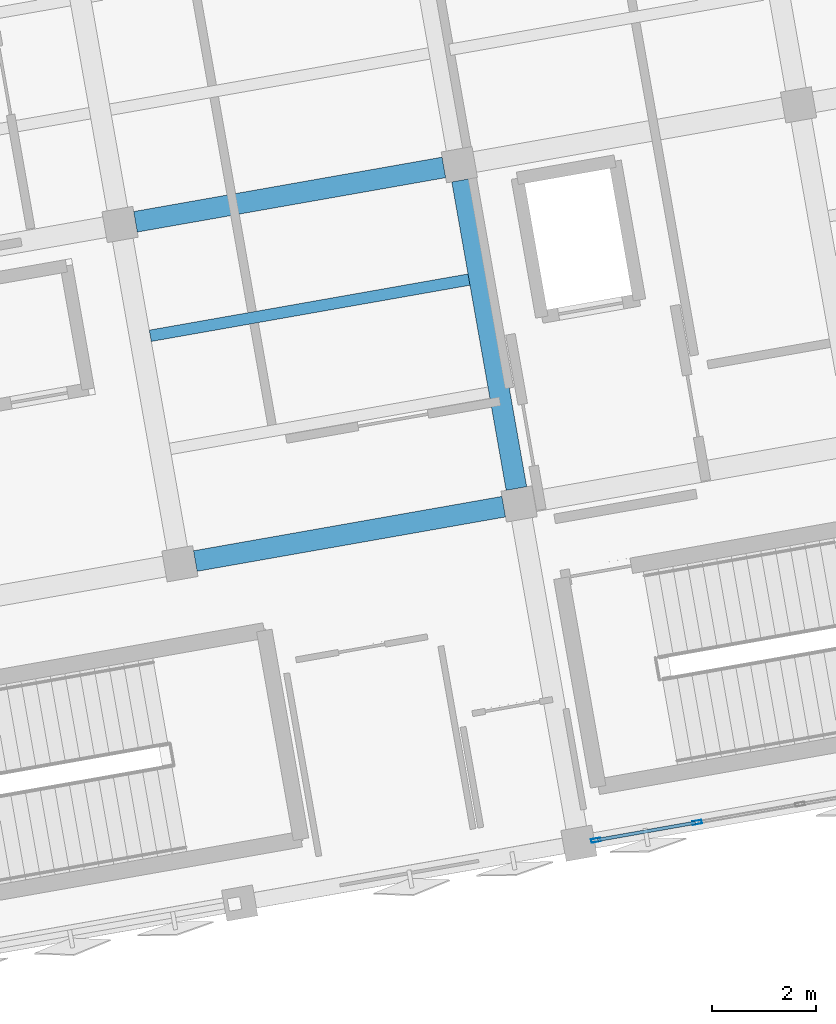
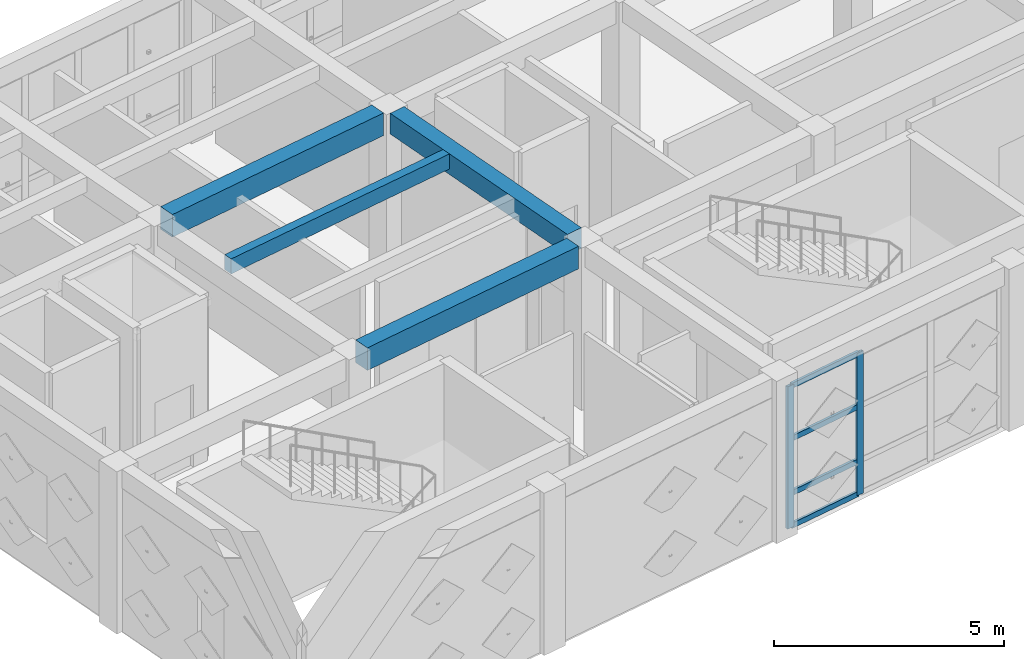
# One storey, part 3 of 29: 6 members, 4 beams, 1 element without a shape of its own.
"""IFC4 building model written with IfcOpenShell, lengths in metres."""

from ifc_helpers import new_model, si_unit, direction, frame, origin, origin_2d, place, context, subcontext, project, spatial, rectangle, hollow_rectangle, extrude, material, layer, layer_set, material_profile, profile_set, type_object, element, aggregate, save


model = new_model("IFC4")

# Units and contexts
model_context = context("Model", 3, precision=1e-05, world=origin(), true_north=direction((0.0, 1.0)))
body_context = subcontext(model_context, "Body", "Model", "MODEL_VIEW")
ifc_project = project(units=[si_unit("LENGTHUNIT", "METRE"), si_unit("AREAUNIT", "SQUARE_METRE"), si_unit("VOLUMEUNIT", "CUBIC_METRE"), si_unit("PLANEANGLEUNIT", "RADIAN"), si_unit("MASSUNIT", "GRAM", prefix="KILO")], contexts=[model_context])

# Site, building, storey
site_placement = place(None, origin())
site = spatial("IfcSite", under=ifc_project, at=site_placement, CompositionType="ELEMENT")
building_placement = place(site_placement, origin())
building = spatial("IfcBuilding", under=site, at=building_placement, Name="Kharisveld Research Institute", CompositionType="ELEMENT")
storey_placement = place(building_placement, frame((0.0, 0.0, 32.10009765625)))
storey = spatial("IfcBuildingStorey", under=building, at=storey_placement, Name="L07", CompositionType="ELEMENT", Elevation=32.10009765625)

# Beams
ifc_material_1 = material(Name="Concrete C40/50", Category="concrete")
ifc_material_profile_1 = material_profile(ifc_material_1, rectangle(XDim=0.39990234375, YDim=0.550048828125, at=origin_2d()))
ifc_profile_set_1 = profile_set([ifc_material_profile_1], Name="Concrete C40/50")
beam_type_1 = type_object("IfcBeamType", Name="BM_RC_400x550", PredefinedType="BEAM", material=ifc_profile_set_1)
beam_1_placement = place(storey_placement, frame((17.001220703125, 44.097412109375, 4.034912109375), z_axis=(-0.173629803561, 0.984810992686, 0.0), x_axis=(-0.984810992686, -0.173629803561, 0.0)))
element("IfcBeam", 1, at=beam_1_placement, inside=storey, type_object=beam_type_1, Name="BM:V1:L07:V2_1", PredefinedType="BEAM", context=body_context, shape_type="SweptSolid", body=[
    extrude(rectangle(XDim=0.39990234375, YDim=0.550048828125, at=origin_2d()), origin(), (0.0, 0.0, 1.0), 5.999755859375),
])
ifc_material_2 = material(Name="Concrete C40/50", Category="concrete")
ifc_material_profile_2 = material_profile(ifc_material_2, rectangle(XDim=0.39990234375, YDim=0.60009765625, at=origin_2d()))
ifc_profile_set_2 = profile_set([ifc_material_profile_2], Name="Concrete C40/50")
beam_type_2 = type_object("IfcBeamType", Name="BM_RC_400x600", PredefinedType="BEAM", material=ifc_profile_set_2)
beam_2_placement = place(storey_placement, frame((10.84912109375, 42.7080078125, 4.010009765625), z_axis=(0.984812219346, 0.173622845926, 0.0), x_axis=(-0.173622845926, 0.984812219346, 0.0)))
element("IfcBeam", 2, at=beam_2_placement, inside=storey, type_object=beam_type_2, Name="BM:V1:L07:U1_1", PredefinedType="BEAM", context=body_context, shape_type="SweptSolid", body=[
    extrude(rectangle(XDim=0.39990234375, YDim=0.60009765625, at=origin_2d()), origin(), (0.0, 0.0, 1.0), 6.0),
])
beam_3_placement = place(storey_placement, frame((9.703125, 49.20751953125, 4.010009765625), z_axis=(0.984804034035, 0.173669267716, 0.0), x_axis=(-0.173669267716, 0.984804034035, 0.0)))
element("IfcBeam", 3, at=beam_3_placement, inside=storey, type_object=beam_type_2, Name="BM:V1:L07:U1_2", PredefinedType="BEAM", context=body_context, shape_type="SweptSolid", body=[
    extrude(rectangle(XDim=0.39990234375, YDim=0.60009765625, at=origin_2d()), origin(), (0.0, 0.0, 1.0), 5.999755859375),
])

# Curtain wall, members
ifc_material_3 = material(Name="Thermally Broken Aluminium Curtain Wall", Category="aluminium")
ifc_layer = layer(ifc_material_3, 0.159912109375)
ifc_layer_set = layer_set([ifc_layer], Name="CW_SYS_06")
curtain_wall_type = type_object("IfcCurtainWallType", Name="CW_SYS_06", PredefinedType="NOTDEFINED", material=ifc_layer_set)
curtain_wall_placement = place(storey_placement, origin())
curtain_wall = element("IfcCurtainWall", 4, at=curtain_wall_placement, inside=storey, type_object=curtain_wall_type, Name="CW:V1:L07:S3", PredefinedType="NOTDEFINED")
ifc_material_4 = material(Name="Anodised Aluminium AW-6063-T6", Category="aluminium")
ifc_material_profile_3 = material_profile(ifc_material_4, hollow_rectangle(XDim=0.070068359375, YDim=0.179931640625, WallThickness=0.00439453125, at=origin_2d()))
ifc_profile_set_3 = profile_set([ifc_material_profile_3], Name="Anodised Aluminium AW-6063-T6")
member_type_1 = type_object("IfcMemberType", Name="CW_MUL_180", PredefinedType="MULLION", material=ifc_profile_set_3)
member_1_placement = place(storey_placement, frame((20.462890625, 37.701171875, 0.0), z_axis=(0.0, 0.0, 1.0), x_axis=(0.173648210685, -0.98480774719, 0.0)))
member_1 = element("IfcMember", 5, at=member_1_placement, type_object=member_type_1, Name="CW-06 mullion 3", PredefinedType="MULLION", context=body_context, shape_type="SweptSolid", body=[
    extrude(hollow_rectangle(XDim=0.070068359375, YDim=0.179931640625, WallThickness=0.00439453125, at=origin_2d()), origin(), (0.0, 0.0, 1.0), 3.77978515625),
])
member_2_placement = place(storey_placement, frame((18.5244140625, 37.359375, 0.0), z_axis=(0.0, 0.0, 1.0), x_axis=(0.173648210685, -0.98480774719, 0.0)))
member_2 = element("IfcMember", 6, at=member_2_placement, type_object=member_type_1, Name="CW-06 mullion 4", PredefinedType="MULLION", context=body_context, shape_type="SweptSolid", body=[
    extrude(hollow_rectangle(XDim=0.070068359375, YDim=0.179931640625, WallThickness=0.00439453125, at=origin_2d()), origin(), (0.0, 0.0, 1.0), 3.77978515625),
])
ifc_material_5 = material(Name="Anodised Aluminium AW-6063-T6", Category="aluminium")
ifc_material_profile_4 = material_profile(ifc_material_5, hollow_rectangle(XDim=0.06494140625, YDim=0.139892578125, WallThickness=0.00390625, at=origin_2d()))
ifc_profile_set_4 = profile_set([ifc_material_profile_4], Name="Anodised Aluminium AW-6063-T6")
member_type_2 = type_object("IfcMemberType", Name="CW_TRN_140", PredefinedType="USERDEFINED", material=ifc_profile_set_4)
member_3_placement = place(storey_placement, frame((20.428466796875, 37.695068359375, 0.032470703125), z_axis=(-0.984814614087, -0.173609262081, 0.0), x_axis=(0.173609262081, -0.984814614087, 0.0)))
member_3 = element("IfcMember", 7, at=member_3_placement, type_object=member_type_2, Name="CW-06 transom 3.1", ObjectType="TRANSOM", PredefinedType="USERDEFINED", context=body_context, shape_type="SweptSolid", body=[
    extrude(hollow_rectangle(XDim=0.06494140625, YDim=0.139892578125, WallThickness=0.00390625, at=origin_2d()), origin(), (0.0, 0.0, 1.0), 1.8984375),
])
member_4_placement = place(storey_placement, frame((20.428466796875, 37.695068359375, 0.89990234375), z_axis=(-0.984814614087, -0.173609262081, 0.0), x_axis=(0.173609262081, -0.984814614087, 0.0)))
member_4 = element("IfcMember", 8, at=member_4_placement, type_object=member_type_2, Name="CW-06 transom 3.2", ObjectType="TRANSOM", PredefinedType="USERDEFINED", context=body_context, shape_type="SweptSolid", body=[
    extrude(hollow_rectangle(XDim=0.06494140625, YDim=0.139892578125, WallThickness=0.00390625, at=origin_2d()), origin(), (0.0, 0.0, 1.0), 1.8984375),
])
member_5_placement = place(storey_placement, frame((20.428466796875, 37.695068359375, 2.349853515625), z_axis=(-0.984814614087, -0.173609262081, 0.0), x_axis=(0.173609262081, -0.984814614087, 0.0)))
member_5 = element("IfcMember", 9, at=member_5_placement, type_object=member_type_2, Name="CW-06 transom 3.3", ObjectType="TRANSOM", PredefinedType="USERDEFINED", context=body_context, shape_type="SweptSolid", body=[
    extrude(hollow_rectangle(XDim=0.06494140625, YDim=0.139892578125, WallThickness=0.00390625, at=origin_2d()), origin(), (0.0, 0.0, 1.0), 1.8984375),
])
member_6_placement = place(storey_placement, frame((20.428466796875, 37.695068359375, 3.747314453125), z_axis=(-0.984814614087, -0.173609262081, 0.0), x_axis=(0.173609262081, -0.984814614087, 0.0)))
member_6 = element("IfcMember", 10, at=member_6_placement, type_object=member_type_2, Name="CW-06 transom 3.4", ObjectType="TRANSOM", PredefinedType="USERDEFINED", context=body_context, shape_type="SweptSolid", body=[
    extrude(hollow_rectangle(XDim=0.06494140625, YDim=0.139892578125, WallThickness=0.00390625, at=origin_2d()), origin(), (0.0, 0.0, 1.0), 1.8984375),
])
aggregate(curtain_wall, [member_1, member_2, member_3, member_4, member_5, member_6])

# Beam
ifc_material_6 = material(Name="Concrete C40/50", Category="concrete")
ifc_material_profile_5 = material_profile(ifc_material_6, rectangle(XDim=0.219970703125, YDim=0.39990234375, at=origin_2d()))
ifc_profile_set_5 = profile_set([ifc_material_profile_5], Name="Concrete C40/50")
beam_type_3 = type_object("IfcBeamType", Name="WB_RC_220x400", PredefinedType="JOIST", material=ifc_profile_set_5)
beam_4_placement = place(storey_placement, frame((9.986572265625, 47.023681640625, 4.10986328125), z_axis=(0.984806146634, 0.173657287643, 0.0), x_axis=(-0.173657287643, 0.984806146634, 0.0)))
element("IfcBeam", 11, at=beam_4_placement, inside=storey, type_object=beam_type_3, Name="BM:V1:L07:J_1_1_R2", PredefinedType="JOIST", context=body_context, shape_type="SweptSolid", body=[
    extrude(rectangle(XDim=0.219970703125, YDim=0.39990234375, at=origin_2d()), origin(), (0.0, 0.0, 1.0), 6.199951171875),
])

save(model, "model.ifc")
